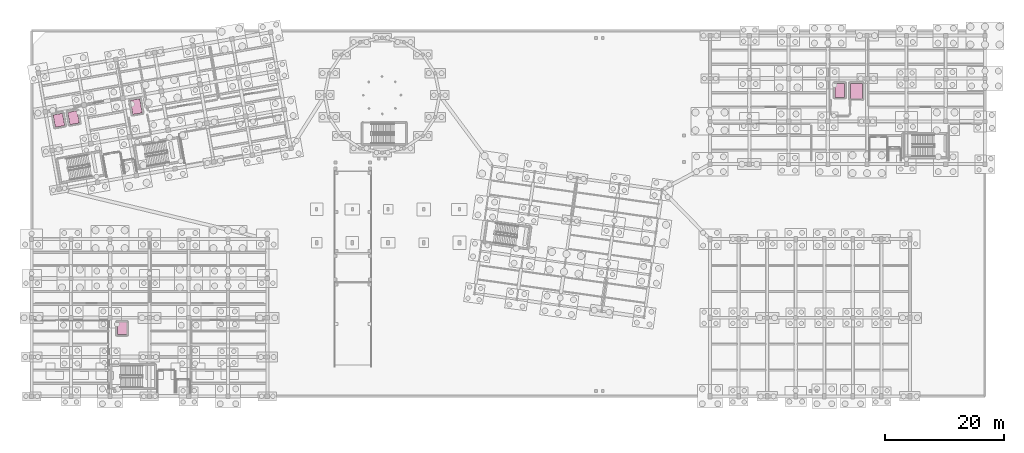
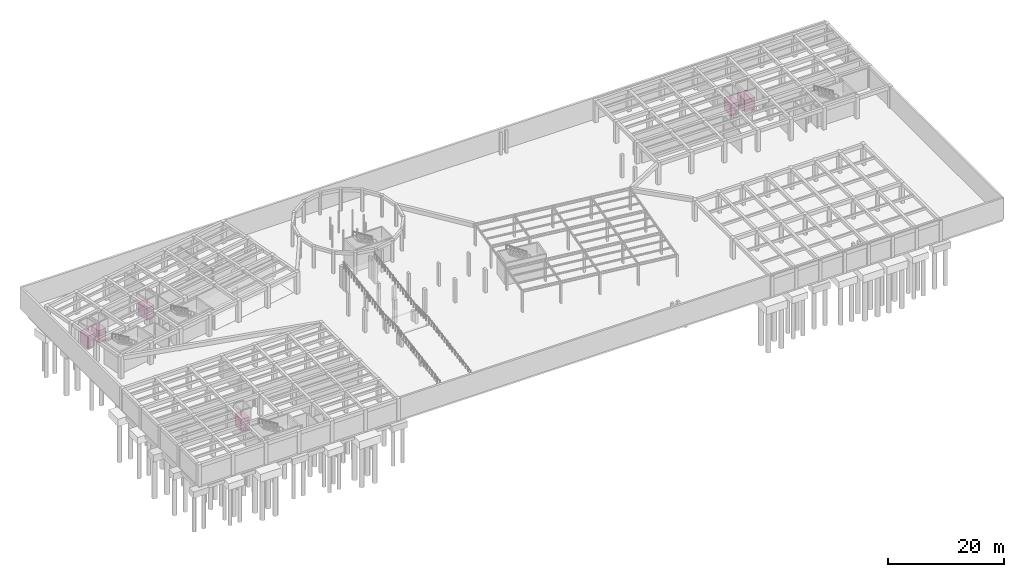
# One storey, part 34 of 34: 6 transport elements.
"""IFC4 building model written with IfcOpenShell, lengths in metres."""

from ifc_helpers import new_model, si_unit, direction, frame, origin, origin_2d, place, context, subcontext, project, spatial, rectangle, extrude, material, type_object, element, save


model = new_model("IFC4")

# Units and contexts
model_context = context("Model", 3, precision=1e-05, world=origin(), true_north=direction((0.0, 1.0)))
body_context = subcontext(model_context, "Body", "Model", "MODEL_VIEW")
ifc_project = project(units=[si_unit("LENGTHUNIT", "METRE"), si_unit("AREAUNIT", "SQUARE_METRE"), si_unit("VOLUMEUNIT", "CUBIC_METRE"), si_unit("PLANEANGLEUNIT", "RADIAN"), si_unit("MASSUNIT", "GRAM", prefix="KILO")], contexts=[model_context])

# Site, building, storey
site_placement = place(None, origin())
site = spatial("IfcSite", under=ifc_project, at=site_placement, CompositionType="ELEMENT")
building_placement = place(site_placement, origin())
building = spatial("IfcBuilding", under=site, at=building_placement, Name="Kharisveld Research Institute", CompositionType="ELEMENT")
storey_placement = place(building_placement, frame((0.0, 0.0, -4.800048828125)))
storey = spatial("IfcBuildingStorey", under=building, at=storey_placement, Name="B1", CompositionType="ELEMENT", Elevation=-4.800048828125)

# Transport elements
ifc_material_1 = material(Name="Stainless Steel 316", Category="steel")
transport_element_type_1 = type_object("IfcTransportElementType", Name="LFT_FFL_1350", PredefinedType="ELEVATOR", material=ifc_material_1)
for number, where, z_axis, x_axis, name in (
    (1, (18.189453125, 48.876220703125, 0.0), (0.0, 0.0, 1.0), (0.984807753012, 0.173648177667, 0.0), "Firefighting Lift FFL-01"),
    (2, (136.39990234375, 51.60009765625, 0.0), (0.0, 0.0, 1.0), (1.0, 0.0, 0.0), "Firefighting Lift FFL-02"),
):
    element("IfcTransportElement", number, at=place(storey_placement, frame(where, z_axis=z_axis, x_axis=x_axis)), inside=storey, type_object=transport_element_type_1, Name=name, PredefinedType="ELEVATOR", context=body_context, shape_type="SweptSolid", body=[
        extrude(rectangle(XDim=1.60009765625, YDim=2.39990234375, at=origin_2d()), origin(), (0.0, 0.0, 1.0), 2.550048828125),
    ])
ifc_material_2 = material(Name="Stainless Steel 316", Category="steel")
transport_element_type_2 = type_object("IfcTransportElementType", Name="LFT_GDS_2500", PredefinedType="ELEVATOR", material=ifc_material_2)
transport_element_placement = place(storey_placement, frame((139.199951171875, 51.5, 0.0), z_axis=(0.0, 0.0, 1.0), x_axis=(1.0, 0.0, 0.0)))
element("IfcTransportElement", 3, at=transport_element_placement, inside=storey, type_object=transport_element_type_2, Name="Laboratory Goods Lift GL-01", PredefinedType="ELEVATOR", context=body_context, shape_type="SweptSolid", body=[
    extrude(rectangle(XDim=2.0, YDim=2.60009765625, at=origin_2d()), origin(), (0.0, 0.0, 1.0), 2.550048828125),
])
ifc_material_3 = material(Name="Stainless Steel 316", Category="steel")
transport_element_type_3 = type_object("IfcTransportElementType", Name="LFT_PAS_1150", PredefinedType="ELEVATOR", material=ifc_material_3)
for number, where, z_axis, x_axis, name in (
    (4, (5.18994140625, 46.583984375, 0.0), (0.0, 0.0, 1.0), (0.984807753012, 0.173648177667, 0.0), "Passenger Lift PL-01"),
    (5, (7.652099609375, 47.018310546875, 0.0), (0.0, 0.0, 1.0), (0.984807753012, 0.173648177667, 0.0), "Passenger Lift PL-02"),
    (6, (15.800048828125, 11.60009765625, 0.0), (0.0, 0.0, 1.0), (1.0, 0.0, 0.0), "Passenger Lift PL-03"),
):
    element("IfcTransportElement", number, at=place(storey_placement, frame(where, z_axis=z_axis, x_axis=x_axis)), inside=storey, type_object=transport_element_type_3, Name=name, PredefinedType="ELEVATOR", context=body_context, shape_type="SweptSolid", body=[
        extrude(rectangle(XDim=1.60009765625, YDim=2.10009765625, at=origin_2d()), origin(), (0.0, 0.0, 1.0), 2.550048828125),
    ])

save(model, "model.ifc")
